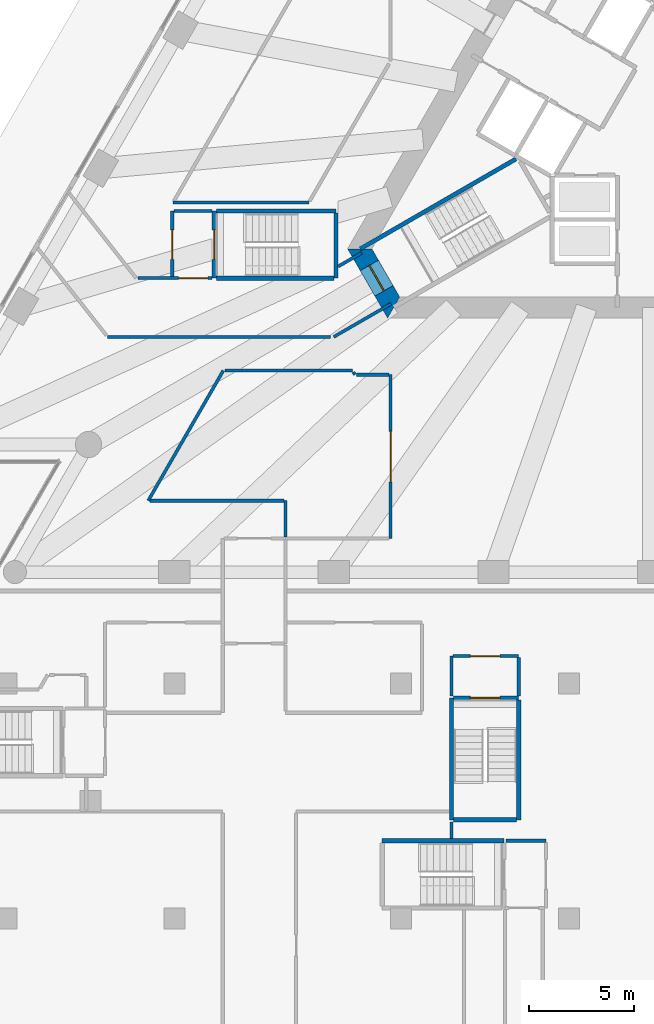
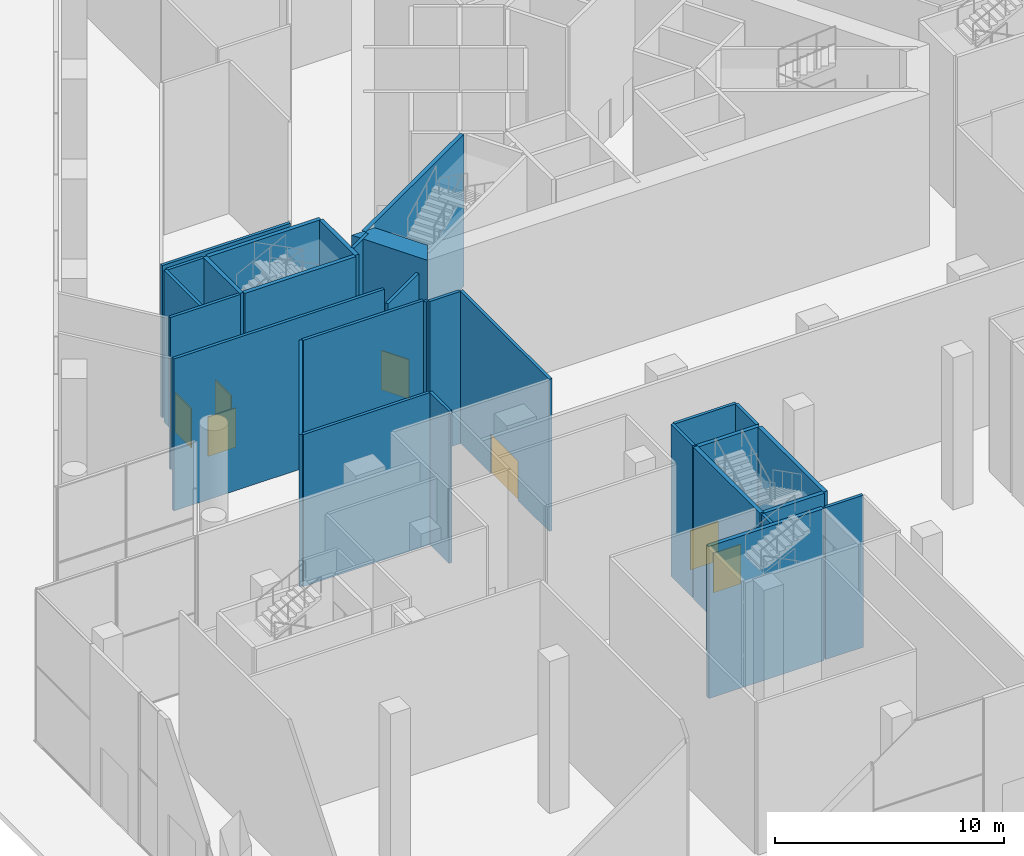
# One storey, part 22 of 41: 30 walls, 7 doors, 7 openings.
"""IFC4 building model written with IfcOpenShell, lengths in metres."""

from ifc_helpers import new_model, si_unit, direction, frame, frame_2d, origin, place, context, subcontext, project, spatial, polyline, rectangle, outline, extrude, material, layer, layer_set, type_object, element, fill, save


model = new_model("IFC4")

# Units and contexts
model_context = context("Model", 3, precision=1e-05, world=origin(), true_north=direction((0.0, 1.0)))
body_context = subcontext(model_context, "Body", "Model", "MODEL_VIEW")
ifc_project = project(units=[si_unit("LENGTHUNIT", "METRE"), si_unit("AREAUNIT", "SQUARE_METRE"), si_unit("VOLUMEUNIT", "CUBIC_METRE"), si_unit("PLANEANGLEUNIT", "RADIAN"), si_unit("MASSUNIT", "GRAM", prefix="KILO")], contexts=[model_context])

# Site, building, storey
site_placement = place(None, origin())
site = spatial("IfcSite", under=ifc_project, at=site_placement, CompositionType="ELEMENT")
building_placement = place(site_placement, origin())
building = spatial("IfcBuilding", under=site, at=building_placement, Name="Triada Interchange Tower", CompositionType="ELEMENT")
storey_placement = place(building_placement, origin())
storey = spatial("IfcBuildingStorey", under=building, at=storey_placement, Name="L00", CompositionType="ELEMENT", Elevation=0.0)

# Wall
ifc_material_1 = material(Name="Concrete C30/37", Category="concrete")
ifc_layer_1 = layer(ifc_material_1, 0.199951171875)
ifc_layer_set_1 = layer_set([ifc_layer_1], Name="CORE WALL 200 REI 240")
wall_type_1 = type_object("IfcWallType", Name="CORE WALL 200 REI 240", PredefinedType="SOLIDWALL", material=ifc_layer_set_1)
wall_1_placement = place(storey_placement, frame((-13.946044921875, -6.2041015625, 0.0), z_axis=(0.0, 0.0, 1.0), x_axis=(0.866036527536, 0.499980732602, 0.0)))
element("IfcWall", 1, at=wall_1_placement, inside=storey, type_object=wall_type_1, Name="Wall L00 184", PredefinedType="SOLIDWALL", context=body_context, shape_type="SweptSolid", body=[
    extrude(rectangle(XDim=8.564208984375, YDim=0.199951171875, at=frame_2d((4.2822265625, 0.0))), origin(), (0.0, 0.0, 1.0), 8.10009765625),
])

# Wall, opening, door
wall_2_placement = place(storey_placement, frame((-20.89990234375, -7.60009765625, 0.0), z_axis=(0.0, 0.0, 1.0), x_axis=(0.0, 1.0, 0.0)))
wall_2 = element("IfcWall", 2, at=wall_2_placement, inside=storey, type_object=wall_type_1, Name="Wall L00 199", PredefinedType="SOLIDWALL", context=body_context, shape_type="SweptSolid", body=[
    extrude(rectangle(XDim=3.2001953125, YDim=0.199951171875, at=frame_2d((1.60009765625, 0.0))), origin(), (0.0, 0.0, 1.0), 8.10009765625),
])
opening_1_placement = place(wall_2_placement, frame((0.89990234375, 0.0, 0.0)))
opening_1 = element("IfcOpeningElement", 3, at=opening_1_placement, cuts=wall_2, Name="Opening D00-21", PredefinedType="OPENING", context=body_context, shape_type="SweptSolid", body=[
    extrude(rectangle(XDim=1.39990234375, YDim=2.10009765625, at=frame_2d((0.699951171875, 1.050048828125))), frame((0.0, 0.10986328125, 0.0), z_axis=(0.0, -1.0, 0.0), x_axis=(1.0, 0.0, 0.0)), (0.0, 0.0, 1.0), 0.219970703125),
])
ifc_material_2 = material(Name="Steel S235 door leaf", Category="steel")
door_type_1 = type_object("IfcDoorType", Name="STAIR DOOR 1400 EI2 90-C5S200", OperationType="DOUBLE_DOOR_SINGLE_SWING", PredefinedType="DOOR", material=ifc_material_2)
door_1_placement = place(opening_1_placement, origin())
door_1 = element("IfcDoor", 4, at=door_1_placement, inside=storey, type_object=door_type_1, Name="Door D00-21 L00", OperationType="DOUBLE_DOOR_SINGLE_SWING", OverallHeight=2.10009765625, OverallWidth=1.39990234375, PredefinedType="DOOR", context=body_context, shape_type="SweptSolid", body=[
    extrude(rectangle(XDim=1.39990234375, YDim=2.10009765625, at=frame_2d((0.699951171875, 1.050048828125))), frame((0.0, 0.02490234375, 0.0), z_axis=(0.0, -1.0, 0.0), x_axis=(1.0, 0.0, 0.0)), (0.0, 0.0, 1.0), 0.050048828125),
])
fill(opening_1, door_1)

# Walls
wall_3_placement = place(storey_placement, frame((-20.800048828125, -4.39990234375, 0.0), z_axis=(0.0, 0.0, 1.0), x_axis=(1.0, 0.0, 0.0)))
element("IfcWall", 5, at=wall_3_placement, inside=storey, type_object=wall_type_1, Name="Wall L00 200", PredefinedType="SOLIDWALL", context=body_context, shape_type="SweptSolid", body=[
    extrude(rectangle(XDim=5.699951171875, YDim=0.199951171875, at=frame_2d((2.85009765625, 0.0))), origin(), (0.0, 0.0, 1.0), 8.10009765625),
])
wall_4_placement = place(storey_placement, frame((-15.10009765625, -7.60009765625, 0.0), z_axis=(0.0, 0.0, 1.0), x_axis=(0.0, 1.0, 0.0)))
element("IfcWall", 6, at=wall_4_placement, inside=storey, type_object=wall_type_1, Name="Wall L00 202", PredefinedType="SOLIDWALL", context=body_context, shape_type="SweptSolid", body=[
    extrude(rectangle(XDim=3.10009765625, YDim=0.199951171875, at=frame_2d((1.550048828125, 0.0))), origin(), (0.0, 0.0, 1.0), 8.10009765625),
])
wall_5_placement = place(storey_placement, frame((-20.800048828125, -7.60009765625, 0.0), z_axis=(0.0, 0.0, 1.0), x_axis=(1.0, 0.0, 0.0)))
element("IfcWall", 7, at=wall_5_placement, inside=storey, type_object=wall_type_1, Name="Wall L00 203", PredefinedType="SOLIDWALL", context=body_context, shape_type="SweptSolid", body=[
    extrude(rectangle(XDim=5.60009765625, YDim=0.199951171875, at=frame_2d((2.800048828125, 0.0))), origin(), (0.0, 0.0, 1.0), 8.10009765625),
])
for number, where, z_axis, x_axis, name in (
    (8, (-12.89990234375, -34.39990234375, 0.0), (0.0, 0.0, 1.0), (1.0, 0.0, 0.0), "Wall L00 205"),
    (9, (-9.60009765625, -33.39990234375, 0.0), (0.0, 0.0, 1.0), (0.0, 1.0, 0.0), "Wall L00 211"),
):
    element("IfcWall", number, at=place(storey_placement, frame(where, z_axis=z_axis, x_axis=x_axis)), inside=storey, type_object=wall_type_1, Name=name, PredefinedType="SOLIDWALL", context=body_context, shape_type="SweptSolid", body=[
        extrude(rectangle(XDim=5.7998046875, YDim=0.199951171875, at=frame_2d((2.89990234375, 0.0))), origin(), (0.0, 0.0, 1.0), 8.10009765625),
    ])

# Wall, opening, door
wall_6_placement = place(storey_placement, frame((-9.5, -27.60009765625, 0.0), z_axis=(0.0, 0.0, 1.0), x_axis=(1.0, 0.0, 0.0)))
wall_6 = element("IfcWall", 10, at=wall_6_placement, inside=storey, type_object=wall_type_1, Name="Wall L00 212", PredefinedType="SOLIDWALL", context=body_context, shape_type="SweptSolid", body=[
    extrude(rectangle(XDim=3.10009765625, YDim=0.199951171875, at=frame_2d((1.550048828125, 0.0))), origin(), (0.0, 0.0, 1.0), 8.10009765625),
])
opening_2_placement = place(wall_6_placement, frame((0.800048828125, 0.0, 0.0)))
opening_2 = element("IfcOpeningElement", 11, at=opening_2_placement, cuts=wall_6, Name="Opening D00-31", PredefinedType="OPENING", context=body_context, shape_type="SweptSolid", body=[
    extrude(rectangle(XDim=1.39990234375, YDim=2.10009765625, at=frame_2d((0.699951171875, 1.050048828125))), frame((0.0, 0.10986328125, 0.0), z_axis=(0.0, -1.0, 0.0), x_axis=(1.0, 0.0, 0.0)), (0.0, 0.0, 1.0), 0.219970703125),
])
door_2_placement = place(opening_2_placement, origin())
door_2 = element("IfcDoor", 12, at=door_2_placement, inside=storey, type_object=door_type_1, Name="Door D00-31 L00", OperationType="DOUBLE_DOOR_SINGLE_SWING", OverallHeight=2.10009765625, OverallWidth=1.39990234375, PredefinedType="DOOR", context=body_context, shape_type="SweptSolid", body=[
    extrude(rectangle(XDim=1.39990234375, YDim=2.10009765625, at=frame_2d((0.699951171875, 1.050048828125))), frame((0.0, 0.02490234375, 0.0), z_axis=(0.0, -1.0, 0.0), x_axis=(1.0, 0.0, 0.0)), (0.0, 0.0, 1.0), 0.050048828125),
])
fill(opening_2, door_2)

# Walls
wall_7_placement = place(storey_placement, frame((-6.39990234375, -33.39990234375, 0.0), z_axis=(0.0, 0.0, 1.0), x_axis=(0.0, 1.0, 0.0)))
element("IfcWall", 13, at=wall_7_placement, inside=storey, type_object=wall_type_1, Name="Wall L00 214", PredefinedType="SOLIDWALL", context=body_context, shape_type="SweptSolid", body=[
    extrude(rectangle(XDim=5.699951171875, YDim=0.199951171875, at=frame_2d((2.85009765625, 0.0))), origin(), (0.0, 0.0, 1.0), 8.10009765625),
])
wall_8_placement = place(storey_placement, frame((-9.5, -33.39990234375, 0.0), z_axis=(0.0, 0.0, 1.0), x_axis=(1.0, 0.0, 0.0)))
element("IfcWall", 14, at=wall_8_placement, inside=storey, type_object=wall_type_1, Name="Wall L00 215", PredefinedType="SOLIDWALL", context=body_context, shape_type="SweptSolid", body=[
    extrude(rectangle(XDim=3.0, YDim=0.199951171875, at=frame_2d((1.5, 0.0))), origin(), (0.0, 0.0, 1.0), 8.10009765625),
])

# Wall, opening, door
ifc_material_3 = material(Name="Concrete C70/85", Category="concrete")
ifc_layer_2 = layer(ifc_material_3, 1.0)
ifc_layer_set_2 = layer_set([ifc_layer_2], Name="Core wall P 1000")
wall_type_2 = type_object("IfcWallType", Name="Core wall P 1000", PredefinedType="SHEAR", material=ifc_layer_set_2)
wall_9_placement = place(storey_placement, frame((-13.971923828125, -6.199951171875, -0.39990234375), z_axis=(0.0, 0.0, 1.0), x_axis=(0.500077567175, -0.865980615723, 0.0)))
wall_9 = element("IfcWall", 15, at=wall_9_placement, inside=storey, type_object=wall_type_2, Name="Core wall WP03 L00", PredefinedType="SHEAR", context=body_context, shape_type="SweptSolid", body=[
    extrude(outline(polyline([(-0.2890625, -0.5), (1.616455078125, -0.5), (3.52197265625, -0.5), (2.944091796875, 0.4990234375), (1.61669921875, 0.49951171875), (0.2890625, 0.5), (-0.2890625, -0.5)])), origin(), (0.0, 0.0, 1.0), 8.5),
])
opening_3_placement = place(wall_9_placement, frame((0.9169921875, 0.0, 0.39990234375)))
opening_3 = element("IfcOpeningElement", 16, at=opening_3_placement, cuts=wall_9, Name="Opening D00-54", PredefinedType="OPENING", context=body_context, shape_type="SweptSolid", body=[
    extrude(rectangle(XDim=1.39990234375, YDim=2.10009765625, at=frame_2d((0.699951171875, 1.050048828125))), frame((0.0, 0.510009765625, 0.0), z_axis=(0.0, -1.0, 0.0), x_axis=(1.0, 0.0, 0.0)), (0.0, 0.0, 1.0), 1.02001953125),
])
door_3_placement = place(opening_3_placement, origin())
door_3 = element("IfcDoor", 17, at=door_3_placement, inside=storey, type_object=door_type_1, Name="Door D00-54 L00", OperationType="DOUBLE_DOOR_SINGLE_SWING", OverallHeight=2.10009765625, OverallWidth=1.39990234375, PredefinedType="DOOR", context=body_context, shape_type="SweptSolid", body=[
    extrude(rectangle(XDim=1.39990234375, YDim=2.10009765625, at=frame_2d((0.699951171875, 1.050048828125))), frame((0.0, 0.02490234375, 0.0), z_axis=(0.0, -1.0, 0.0), x_axis=(1.0, 0.0, 0.0)), (0.0, 0.0, 1.0), 0.050048828125),
])
fill(opening_3, door_3)

# Walls
ifc_material_4 = material(Name="Gypsum board partition")
ifc_layer_3 = layer(ifc_material_4, 0.14990234375)
ifc_layer_set_3 = layer_set([ifc_layer_3], Name="PARTITION 150")
wall_type_3 = type_object("IfcWallType", Name="PARTITION 150", PredefinedType="PARTITIONING", material=ifc_layer_set_3)
wall_10_placement = place(storey_placement, frame((-14.27490234375, -12.074951171875, 0.0), z_axis=(0.0, 0.0, 1.0), x_axis=(0.499234024602, -0.866467188461, 0.0)))
element("IfcWall", 18, at=wall_10_placement, inside=storey, type_object=wall_type_3, Name="Wall L00 140", PredefinedType="PARTITIONING", context=body_context, shape_type="SweptSolid", body=[
    extrude(rectangle(XDim=0.144287109375, YDim=0.14990234375, at=frame_2d((0.072265625, 0.0))), origin(), (0.0, 0.0, 1.0), 8.10009765625),
])
ifc_layer_4 = layer(ifc_material_4, 0.14990234375)
ifc_layer_set_4 = layer_set([ifc_layer_4], Name="PARTITION 150 EI 180")
wall_type_4 = type_object("IfcWallType", Name="PARTITION 150 EI 180", PredefinedType="PARTITIONING", material=ifc_layer_set_4)
wall_11_placement = place(storey_placement, frame((-15.212890625, -10.39990234375, 0.0), z_axis=(0.0, 0.0, 1.0), x_axis=(0.86594327899, 0.500142217347, 0.0)))
element("IfcWall", 19, at=wall_11_placement, inside=storey, type_object=wall_type_4, Name="Wall L00 1", PredefinedType="PARTITIONING", context=body_context, shape_type="SweptSolid", body=[
    extrude(rectangle(XDim=3.15478515625, YDim=0.14990234375, at=frame_2d((1.577392578125, 0.0))), origin(), (0.0, 0.0, 1.0), 7.25),
])
wall_12_placement = place(storey_placement, frame((-25.97900390625, -10.39990234375, 0.0), z_axis=(0.0, 0.0, 1.0), x_axis=(1.0, 0.0, 0.0)))
element("IfcWall", 20, at=wall_12_placement, inside=storey, type_object=wall_type_4, Name="Wall L00 2", PredefinedType="PARTITIONING", context=body_context, shape_type="SweptSolid", body=[
    extrude(rectangle(XDim=10.615966796875, YDim=0.14990234375, at=frame_2d((5.30810546875, 0.0))), origin(), (0.0, 0.0, 1.0), 8.10009765625),
])

# Wall, opening, door
wall_13_placement = place(storey_placement, frame((-24.52587890625, -7.60009765625, 0.0), z_axis=(0.0, 0.0, 1.0), x_axis=(1.0, 0.0, 0.0)))
wall_13 = element("IfcWall", 21, at=wall_13_placement, inside=storey, type_object=wall_type_4, Name="Wall L00 10", PredefinedType="PARTITIONING", context=body_context, shape_type="SweptSolid", body=[
    extrude(rectangle(XDim=3.52587890625, YDim=0.14990234375, at=frame_2d((1.762939453125, 0.0))), origin(), (0.0, 0.0, 1.0), 8.10009765625),
])
opening_4_placement = place(wall_13_placement, frame((1.926025390625, 0.0, 0.0)))
opening_4 = element("IfcOpeningElement", 22, at=opening_4_placement, cuts=wall_13, Name="Opening D00-63", PredefinedType="OPENING", context=body_context, shape_type="SweptSolid", body=[
    extrude(rectangle(XDim=1.39990234375, YDim=2.10009765625, at=frame_2d((0.699951171875, 1.050048828125))), frame((0.0, 0.0849609375, 0.0), z_axis=(0.0, -1.0, 0.0), x_axis=(1.0, 0.0, 0.0)), (0.0, 0.0, 1.0), 0.169921875),
])
door_4_placement = place(opening_4_placement, origin())
door_4 = element("IfcDoor", 23, at=door_4_placement, inside=storey, type_object=door_type_1, Name="Door D00-63 L00", OperationType="DOUBLE_DOOR_SINGLE_SWING", OverallHeight=2.10009765625, OverallWidth=1.39990234375, PredefinedType="DOOR", context=body_context, shape_type="SweptSolid", body=[
    extrude(rectangle(XDim=1.39990234375, YDim=2.10009765625, at=frame_2d((0.699951171875, 1.050048828125))), frame((0.0, 0.02490234375, 0.0), z_axis=(0.0, -1.0, 0.0), x_axis=(1.0, 0.0, 0.0)), (0.0, 0.0, 1.0), 0.050048828125),
])
fill(opening_4, door_4)

wall_14_placement = place(storey_placement, frame((-22.89990234375, -7.52490234375, 0.0), z_axis=(0.0, 0.0, 1.0), x_axis=(0.0, 1.0, 0.0)))
wall_14 = element("IfcWall", 24, at=wall_14_placement, inside=storey, type_object=wall_type_4, Name="Wall L00 12", PredefinedType="PARTITIONING", context=body_context, shape_type="SweptSolid", body=[
    extrude(rectangle(XDim=3.125, YDim=0.14990234375, at=frame_2d((1.5625, 0.0))), origin(), (0.0, 0.0, 1.0), 8.10009765625),
])
opening_5_placement = place(wall_14_placement, frame((0.824951171875, 0.0, 0.0)))
opening_5 = element("IfcOpeningElement", 25, at=opening_5_placement, cuts=wall_14, Name="Opening D00-22", PredefinedType="OPENING", context=body_context, shape_type="SweptSolid", body=[
    extrude(rectangle(XDim=1.39990234375, YDim=2.10009765625, at=frame_2d((0.699951171875, 1.050048828125))), frame((0.0, 0.0849609375, 0.0), z_axis=(0.0, -1.0, 0.0), x_axis=(1.0, 0.0, 0.0)), (0.0, 0.0, 1.0), 0.169921875),
])
door_5_placement = place(opening_5_placement, origin())
door_5 = element("IfcDoor", 26, at=door_5_placement, inside=storey, type_object=door_type_1, Name="Door D00-22 L00", OperationType="DOUBLE_DOOR_SINGLE_SWING", OverallHeight=2.10009765625, OverallWidth=1.39990234375, PredefinedType="DOOR", context=body_context, shape_type="SweptSolid", body=[
    extrude(rectangle(XDim=1.39990234375, YDim=2.10009765625, at=frame_2d((0.699951171875, 1.050048828125))), frame((0.0, 0.02490234375, 0.0), z_axis=(0.0, -1.0, 0.0), x_axis=(1.0, 0.0, 0.0)), (0.0, 0.0, 1.0), 0.050048828125),
])
fill(opening_5, door_5)

# Walls
wall_15_placement = place(storey_placement, frame((-22.824951171875, -4.39990234375, 0.0), z_axis=(0.0, 0.0, 1.0), x_axis=(1.0, 0.0, 0.0)))
element("IfcWall", 27, at=wall_15_placement, inside=storey, type_object=wall_type_4, Name="Wall L00 13", PredefinedType="PARTITIONING", context=body_context, shape_type="SweptSolid", body=[
    extrude(rectangle(XDim=1.824951171875, YDim=0.14990234375, at=frame_2d((0.91259765625, 0.0))), origin(), (0.0, 0.0, 1.0), 8.10009765625),
])
wall_16_placement = place(storey_placement, frame((-15.0, -7.0439453125, 0.0), z_axis=(0.0, 0.0, 1.0), x_axis=(0.866025099701, 0.500000526688, 0.0)))
element("IfcWall", 28, at=wall_16_placement, inside=storey, type_object=wall_type_4, Name="Wall L00 15", PredefinedType="PARTITIONING", context=body_context, shape_type="SweptSolid", body=[
    extrude(rectangle(XDim=1.2919921875, YDim=0.14990234375, at=frame_2d((0.64599609375, 0.0))), origin(), (0.0, 0.0, 1.0), 8.10009765625),
])
wall_17_placement = place(storey_placement, frame((-9.60009765625, -27.5, 0.0), z_axis=(0.0, 0.0, 1.0), x_axis=(0.0, 1.0, 0.0)))
element("IfcWall", 29, at=wall_17_placement, inside=storey, type_object=wall_type_4, Name="Wall L00 19", PredefinedType="PARTITIONING", context=body_context, shape_type="SweptSolid", body=[
    extrude(rectangle(XDim=1.89990234375, YDim=0.14990234375, at=frame_2d((0.949951171875, 0.0))), origin(), (0.0, 0.0, 1.0), 8.10009765625),
])

# Wall, opening, door
wall_18_placement = place(storey_placement, frame((-9.52490234375, -25.60009765625, 0.0), z_axis=(0.0, 0.0, 1.0), x_axis=(1.0, 0.0, 0.0)))
wall_18 = element("IfcWall", 30, at=wall_18_placement, inside=storey, type_object=wall_type_4, Name="Wall L00 20", PredefinedType="PARTITIONING", context=body_context, shape_type="SweptSolid", body=[
    extrude(rectangle(XDim=3.125, YDim=0.14990234375, at=frame_2d((1.5625, 0.0))), origin(), (0.0, 0.0, 1.0), 8.10009765625),
])
opening_6_placement = place(wall_18_placement, frame((0.824951171875, 0.0, 0.0)))
opening_6 = element("IfcOpeningElement", 31, at=opening_6_placement, cuts=wall_18, Name="Opening D00-32", PredefinedType="OPENING", context=body_context, shape_type="SweptSolid", body=[
    extrude(rectangle(XDim=1.39990234375, YDim=2.10009765625, at=frame_2d((0.699951171875, 1.050048828125))), frame((0.0, 0.0849609375, 0.0), z_axis=(0.0, -1.0, 0.0), x_axis=(1.0, 0.0, 0.0)), (0.0, 0.0, 1.0), 0.169921875),
])
door_6_placement = place(opening_6_placement, origin())
door_6 = element("IfcDoor", 32, at=door_6_placement, inside=storey, type_object=door_type_1, Name="Door D00-32 L00", OperationType="DOUBLE_DOOR_SINGLE_SWING", OverallHeight=2.10009765625, OverallWidth=1.39990234375, PredefinedType="DOOR", context=body_context, shape_type="SweptSolid", body=[
    extrude(rectangle(XDim=1.39990234375, YDim=2.10009765625, at=frame_2d((0.699951171875, 1.050048828125))), frame((0.0, 0.02490234375, 0.0), z_axis=(0.0, -1.0, 0.0), x_axis=(1.0, 0.0, 0.0)), (0.0, 0.0, 1.0), 0.050048828125),
])
fill(opening_6, door_6)

# Walls
wall_19_placement = place(storey_placement, frame((-6.39990234375, -27.5, 0.0), z_axis=(0.0, 0.0, 1.0), x_axis=(0.0, 1.0, 0.0)))
element("IfcWall", 33, at=wall_19_placement, inside=storey, type_object=wall_type_4, Name="Wall L00 22", PredefinedType="PARTITIONING", context=body_context, shape_type="SweptSolid", body=[
    extrude(rectangle(XDim=1.824951171875, YDim=0.14990234375, at=frame_2d((0.91259765625, 0.0))), origin(), (0.0, 0.0, 1.0), 8.10009765625),
])
wall_20_placement = place(storey_placement, frame((-7.0, -34.39990234375, 0.0), z_axis=(0.0, 0.0, 1.0), x_axis=(1.0, 0.0, 0.0)))
element("IfcWall", 34, at=wall_20_placement, inside=storey, type_object=wall_type_4, Name="Wall L00 27", PredefinedType="PARTITIONING", context=body_context, shape_type="SweptSolid", body=[
    extrude(rectangle(XDim=1.89990234375, YDim=0.14990234375, at=frame_2d((0.949951171875, 0.0))), origin(), (0.0, 0.0, 1.0), 8.10009765625),
])
ifc_layer_5 = layer(ifc_material_4, 0.14990234375)
ifc_layer_set_5 = layer_set([ifc_layer_5], Name="PARTITION 150 EI 90")
wall_type_5 = type_object("IfcWallType", Name="PARTITION 150 EI 90", PredefinedType="PARTITIONING", material=ifc_layer_set_5)
wall_21_placement = place(storey_placement, frame((-24.047119140625, -18.199951171875, 0.0), z_axis=(0.0, 0.0, 1.0), x_axis=(0.499953701917, 0.866052132345, 0.0)))
element("IfcWall", 35, at=wall_21_placement, inside=storey, type_object=wall_type_5, Name="Wall L00 65", PredefinedType="PARTITIONING", context=body_context, shape_type="SweptSolid", body=[
    extrude(rectangle(XDim=7.158935546875, YDim=0.14990234375, at=frame_2d((3.57958984375, 0.0))), origin(), (0.0, 0.0, 1.0), 8.10009765625),
])
wall_22_placement = place(storey_placement, frame((-17.5, -19.925048828125, 0.0), z_axis=(0.0, 0.0, 1.0), x_axis=(0.0, 1.0, 0.0)))
element("IfcWall", 36, at=wall_22_placement, inside=storey, type_object=wall_type_5, Name="Wall L00 91", PredefinedType="PARTITIONING", context=body_context, shape_type="SweptSolid", body=[
    extrude(rectangle(XDim=1.72509765625, YDim=0.14990234375, at=frame_2d((0.862548828125, 0.0))), origin(), (0.0, 0.0, 1.0), 8.10009765625),
])
wall_23_placement = place(storey_placement, frame((-9.60009765625, -34.300048828125, 0.0), z_axis=(0.0, 0.0, 1.0), x_axis=(0.0, 1.0, 0.0)))
element("IfcWall", 37, at=wall_23_placement, inside=storey, type_object=wall_type_5, Name="Wall L00 92", PredefinedType="PARTITIONING", context=body_context, shape_type="SweptSolid", body=[
    extrude(rectangle(XDim=0.802001953125, YDim=0.14990234375, at=frame_2d((0.40087890625, 0.0))), origin(), (0.0, 0.0, 1.0), 8.10009765625),
])
wall_24_placement = place(storey_placement, frame((-22.863037109375, -4.0, 0.0), z_axis=(0.0, 0.0, 1.0), x_axis=(1.0, 0.0, 0.0)))
element("IfcWall", 38, at=wall_24_placement, inside=storey, type_object=wall_type_5, Name="Wall L00 104", PredefinedType="PARTITIONING", context=body_context, shape_type="SweptSolid", body=[
    extrude(rectangle(XDim=6.466064453125, YDim=0.14990234375, at=frame_2d((3.23291015625, 0.0))), origin(), (0.0, 0.0, 1.0), 8.10009765625),
])

# Wall, opening, door
wall_25_placement = place(storey_placement, frame((-12.5, -20.0, 0.0), z_axis=(0.0, 0.0, 1.0), x_axis=(0.0, 1.0, 0.0)))
wall_25 = element("IfcWall", 39, at=wall_25_placement, inside=storey, type_object=wall_type_5, Name="Wall L00 129", PredefinedType="PARTITIONING", context=body_context, shape_type="SweptSolid", body=[
    extrude(rectangle(XDim=7.800048828125, YDim=0.14990234375, at=frame_2d((3.89990234375, 0.0))), origin(), (0.0, 0.0, 1.0), 8.10009765625),
])
opening_7_placement = place(wall_25_placement, frame((2.699951171875, 0.0, 0.0)))
opening_7 = element("IfcOpeningElement", 40, at=opening_7_placement, cuts=wall_25, Name="Opening D00-44", PredefinedType="OPENING", context=body_context, shape_type="SweptSolid", body=[
    extrude(rectangle(XDim=2.39990234375, YDim=2.10009765625, at=frame_2d((1.199951171875, 1.050048828125))), frame((0.0, 0.0849609375, 0.0), z_axis=(0.0, -1.0, 0.0), x_axis=(1.0, 0.0, 0.0)), (0.0, 0.0, 1.0), 0.169921875),
])
door_type_2 = type_object("IfcDoorType", Name="SHOP AND HALL ENTRANCE DOOR 2400 EI2 45-C5S200", OperationType="DOUBLE_DOOR_SINGLE_SWING", PredefinedType="DOOR", material=ifc_material_2)
door_7_placement = place(opening_7_placement, origin())
door_7 = element("IfcDoor", 41, at=door_7_placement, inside=storey, type_object=door_type_2, Name="Door D00-44 L00", OperationType="DOUBLE_DOOR_SINGLE_SWING", OverallHeight=2.10009765625, OverallWidth=2.39990234375, PredefinedType="DOOR", context=body_context, shape_type="SweptSolid", body=[
    extrude(rectangle(XDim=2.39990234375, YDim=2.10009765625, at=frame_2d((1.199951171875, 1.050048828125))), frame((0.0, 0.02490234375, 0.0), z_axis=(0.0, -1.0, 0.0), x_axis=(1.0, 0.0, 0.0)), (0.0, 0.0, 1.0), 0.050048828125),
])
fill(opening_7, door_7)

# Walls
wall_26_placement = place(storey_placement, frame((-23.9599609375, -18.199951171875, 0.0), z_axis=(0.0, 0.0, 1.0), x_axis=(1.0, 0.0, 0.0)))
element("IfcWall", 42, at=wall_26_placement, inside=storey, type_object=wall_type_5, Name="Wall L00 136", PredefinedType="PARTITIONING", context=body_context, shape_type="SweptSolid", body=[
    extrude(rectangle(XDim=6.385009765625, YDim=0.14990234375, at=frame_2d((3.1923828125, 0.0))), origin(), (0.0, 0.0, 1.0), 8.10009765625),
])
wall_27_placement = place(storey_placement, frame((-20.381103515625, -12.0, 0.0), z_axis=(0.0, 0.0, 1.0), x_axis=(1.0, 0.0, 0.0)))
element("IfcWall", 43, at=wall_27_placement, inside=storey, type_object=wall_type_5, Name="Wall L00 138", PredefinedType="PARTITIONING", context=body_context, shape_type="SweptSolid", body=[
    extrude(rectangle(XDim=6.06298828125, YDim=0.14990234375, at=frame_2d((3.031494140625, 0.0))), origin(), (0.0, 0.0, 1.0), 8.10009765625),
])
wall_28_placement = place(storey_placement, frame((-14.115966796875, -12.199951171875, 0.0), z_axis=(0.0, 0.0, 1.0), x_axis=(1.0, 0.0, 0.0)))
element("IfcWall", 44, at=wall_28_placement, inside=storey, type_object=wall_type_5, Name="Wall L00 141", PredefinedType="PARTITIONING", context=body_context, shape_type="SweptSolid", body=[
    extrude(rectangle(XDim=1.541015625, YDim=0.14990234375, at=frame_2d((0.7705078125, 0.0))), origin(), (0.0, 0.0, 1.0), 8.10009765625),
])

save(model, "model.ifc")
